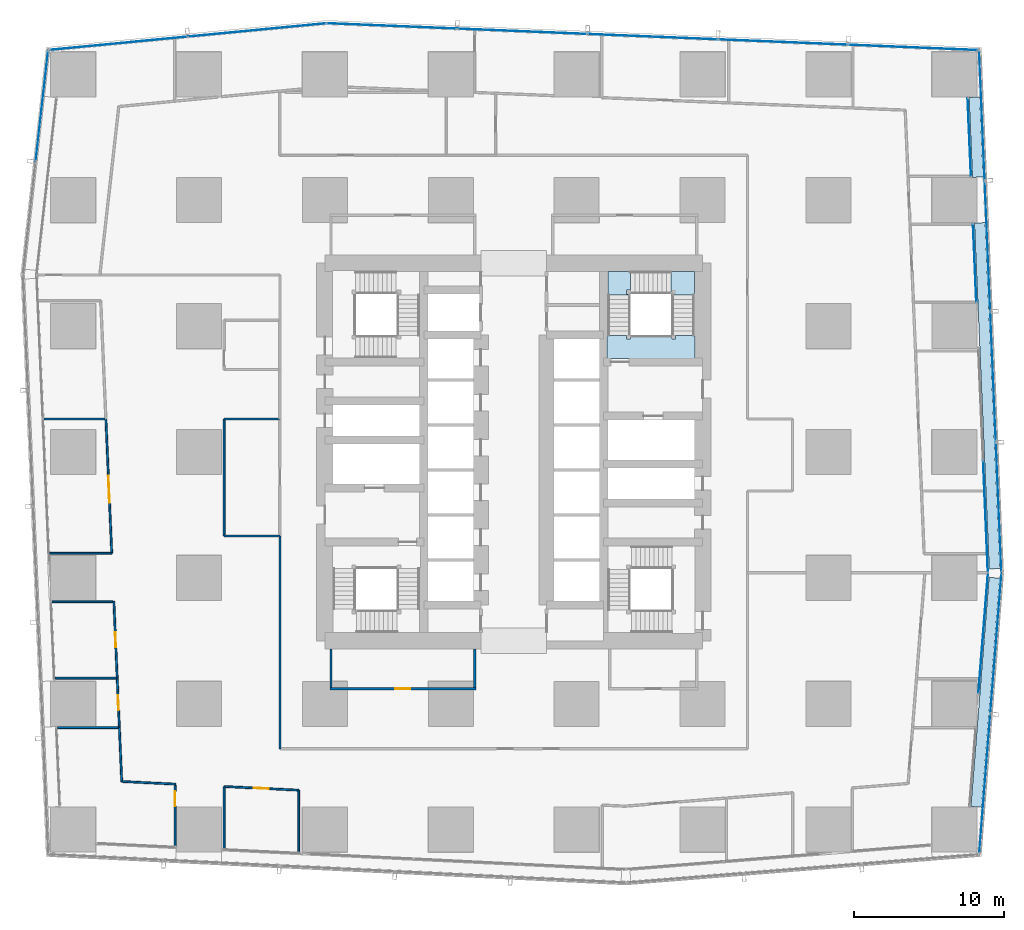
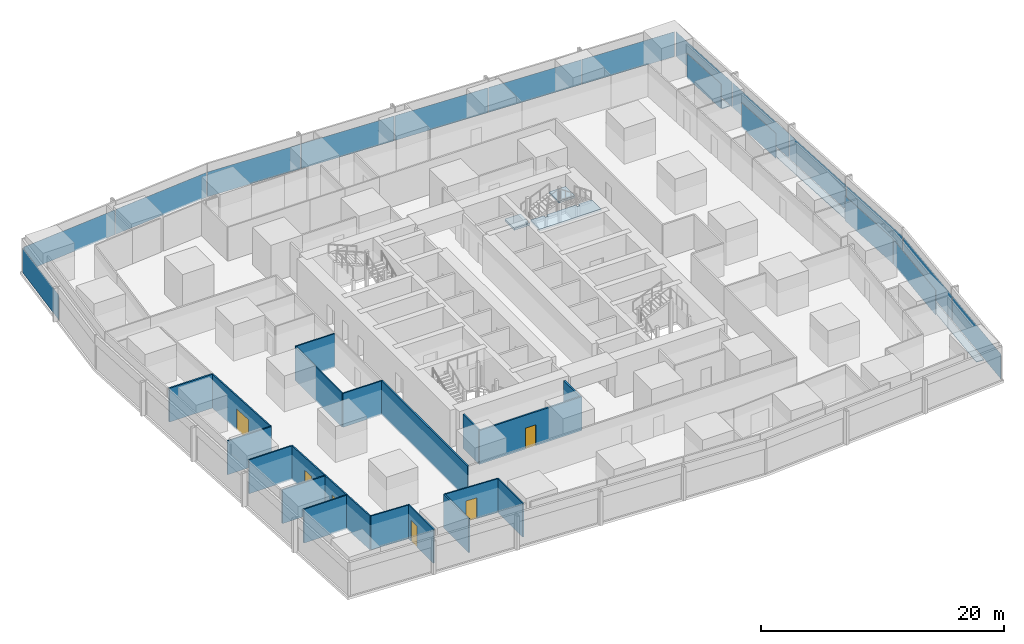
# One storey, part 31 of 44: 21 plates, 21 walls, 6 doors, 3 slabs, 6 openings, 10 elements without a shape of their own.
"""IFC4 building model written with IfcOpenShell, lengths in metres."""

from ifc_helpers import new_model, si_unit, direction, frame, frame_2d, origin, origin_2d, place, context, subcontext, project, spatial, polyline, rectangle, outline, extrude, material, layer, layer_set, type_object, element, fill, aggregate, save


model = new_model("IFC4")

# Units and contexts
model_context = context("Model", 3, precision=1e-05, world=origin(), true_north=direction((0.0, 1.0)))
body_context = subcontext(model_context, "Body", "Model", "MODEL_VIEW")
ifc_project = project(units=[si_unit("LENGTHUNIT", "METRE"), si_unit("AREAUNIT", "SQUARE_METRE"), si_unit("VOLUMEUNIT", "CUBIC_METRE"), si_unit("PLANEANGLEUNIT", "RADIAN"), si_unit("MASSUNIT", "GRAM", prefix="KILO")], contexts=[model_context])

# Site, building, storey
site_placement = place(None, origin())
site = spatial("IfcSite", under=ifc_project, at=site_placement, CompositionType="ELEMENT")
building_placement = place(site_placement, origin())
building = spatial("IfcBuilding", under=site, at=building_placement, Name="Rekha Terrace Tower", CompositionType="ELEMENT")
storey_placement = place(building_placement, frame((0.0, 0.0, 81.64990234375)))
storey = spatial("IfcBuildingStorey", under=building, at=storey_placement, Name="L20", CompositionType="ELEMENT", Elevation=81.64990234375)

# Curtain wall, plate
ifc_material_1 = material(Name="Aluminium framing", Category="aluminium")
curtain_wall_type_1 = type_object("IfcCurtainWallType", Name="CW1 double skin inner glazing", PredefinedType="USERDEFINED", material=ifc_material_1)
curtain_wall_1_placement = place(storey_placement, origin())
curtain_wall_1 = element("IfcCurtainWall", 1, at=curtain_wall_1_placement, inside=storey, type_object=curtain_wall_type_1, Name="CW1 double skin inner glazing", ObjectType="DOUBLE SKIN INNER GLAZING", PredefinedType="USERDEFINED")
ifc_material_2 = material(Name="Double-glazed low-e unit 32", Category="glass")
ifc_layer_1 = layer(ifc_material_2, 0.031982421875)
ifc_layer_set_1 = layer_set([ifc_layer_1], Name="Double-glazed low-e unit 32")
plate_type_1 = type_object("IfcPlateType", Name="CW1 jumbo vision panel, double-glazed low-e unit 32", PredefinedType="CURTAIN_PANEL", material=ifc_layer_set_1)
plate_1_placement = place(storey_placement, frame((69.119873046875, 21.507568359375, 0.0), z_axis=(0.0, 0.0, 1.0), x_axis=(0.079116301035, 0.996865392573, 0.0)))
plate_1 = element("IfcPlate", 2, at=plate_1_placement, type_object=plate_type_1, Name="CW1 panel 1.1", PredefinedType="CURTAIN_PANEL", context=body_context, shape_type="SweptSolid", body=[
    extrude(rectangle(XDim=8.048583984375, YDim=0.031982421875, at=origin_2d()), origin(), (0.0, 0.0, 1.0), 2.5),
])
aggregate(curtain_wall_1, [plate_1])

curtain_wall_2_placement = place(storey_placement, origin())
curtain_wall_2 = element("IfcCurtainWall", 3, at=curtain_wall_2_placement, inside=storey, type_object=curtain_wall_type_1, Name="CW1 double skin inner glazing", ObjectType="DOUBLE SKIN INNER GLAZING", PredefinedType="USERDEFINED")
plate_2_placement = place(storey_placement, frame((69.27685546875, 29.2939453125, 0.0), z_axis=(0.0, 0.0, 1.0), x_axis=(-0.042696072921, 0.999088106904, 0.0)))
plate_2 = element("IfcPlate", 4, at=plate_2_placement, type_object=plate_type_1, Name="CW1 panel 1.1", PredefinedType="CURTAIN_PANEL", context=body_context, shape_type="SweptSolid", body=[
    extrude(rectangle(XDim=7.42578125, YDim=0.031982421875, at=origin_2d()), origin(), (0.0, 0.0, 1.0), 2.5),
])
aggregate(curtain_wall_2, [plate_2])

curtain_wall_3_placement = place(storey_placement, origin())
curtain_wall_3 = element("IfcCurtainWall", 5, at=curtain_wall_3_placement, inside=storey, type_object=curtain_wall_type_1, Name="CW1 double skin inner glazing", ObjectType="DOUBLE SKIN INNER GLAZING", PredefinedType="USERDEFINED")
plate_3_placement = place(storey_placement, frame((68.554443359375, 46.199951171875, 0.0), z_axis=(0.0, 0.0, 1.0), x_axis=(-0.042696073061, 0.999088106898, 0.0)))
plate_3 = element("IfcPlate", 6, at=plate_3_placement, type_object=plate_type_1, Name="CW1 panel 1.1", PredefinedType="CURTAIN_PANEL", context=body_context, shape_type="SweptSolid", body=[
    extrude(rectangle(XDim=5.226806640625, YDim=0.031982421875, at=origin_2d()), origin(), (0.0, 0.0, 1.0), 2.5),
])
aggregate(curtain_wall_3, [plate_3])

curtain_wall_4_placement = place(storey_placement, origin())
curtain_wall_4 = element("IfcCurtainWall", 7, at=curtain_wall_4_placement, inside=storey, type_object=curtain_wall_type_1, Name="CW1 double skin inner glazing", ObjectType="DOUBLE SKIN INNER GLAZING", PredefinedType="USERDEFINED")
plate_4_placement = place(storey_placement, frame((68.195556640625, 54.60009765625, 0.0), z_axis=(0.0, 0.0, 1.0), x_axis=(-0.042696073061, 0.999088106898, 0.0)))
plate_4 = element("IfcPlate", 8, at=plate_4_placement, type_object=plate_type_1, Name="CW1 panel 1.1", PredefinedType="CURTAIN_PANEL", context=body_context, shape_type="SweptSolid", body=[
    extrude(rectangle(XDim=5.226806640625, YDim=0.031982421875, at=origin_2d()), origin(), (0.0, 0.0, 1.0), 2.5),
])
aggregate(curtain_wall_4, [plate_4])

# Curtain wall, plates
curtain_wall_type_2 = type_object("IfcCurtainWallType", Name="CW2 double skin outer glazing", PredefinedType="USERDEFINED", material=ifc_material_1)
curtain_wall_5_placement = place(storey_placement, origin())
curtain_wall_5 = element("IfcCurtainWall", 9, at=curtain_wall_5_placement, inside=storey, type_object=curtain_wall_type_2, Name="CW2 double skin outer glazing", ObjectType="DOUBLE SKIN OUTER GLAZING", PredefinedType="USERDEFINED")
ifc_material_3 = material(Name="Toughened single glazing 12", Category="glass")
ifc_layer_2 = layer(ifc_material_3, 0.011962890625)
ifc_layer_set_2 = layer_set([ifc_layer_2], Name="Toughened single glazing 12")
plate_type_2 = type_object("IfcPlateType", Name="CW2 jumbo vision panel, toughened single glazing 12", PredefinedType="CURTAIN_PANEL", material=ifc_layer_set_2)
plate_5_placement = place(storey_placement, frame((69.22509765625, 11.45703125, 0.0), z_axis=(0.0, 0.0, 1.0), x_axis=(0.079116301017, 0.996865392575, 0.0)))
plate_5 = element("IfcPlate", 10, at=plate_5_placement, type_object=plate_type_2, Name="CW2 panel 1.1", PredefinedType="CURTAIN_PANEL", context=body_context, shape_type="SweptSolid", body=[
    extrude(rectangle(XDim=9.28662109375, YDim=0.011962890625, at=origin_2d()), origin(), (0.0, 0.0, 1.0), 2.5),
])
plate_6_placement = place(storey_placement, frame((69.96923828125, 20.834228515625, 0.0), z_axis=(0.0, 0.0, 1.0), x_axis=(0.079116301017, 0.996865392575, 0.0)))
plate_6 = element("IfcPlate", 11, at=plate_6_placement, type_object=plate_type_2, Name="CW2 panel 2.1", PredefinedType="CURTAIN_PANEL", context=body_context, shape_type="SweptSolid", body=[
    extrude(rectangle(XDim=9.36669921875, YDim=0.011962890625, at=origin_2d()), origin(), (0.0, 0.0, 1.0), 2.5),
])
aggregate(curtain_wall_5, [plate_5, plate_6])

curtain_wall_6_placement = place(storey_placement, origin())
curtain_wall_6 = element("IfcCurtainWall", 12, at=curtain_wall_6_placement, inside=storey, type_object=curtain_wall_type_2, Name="CW2 double skin outer glazing", ObjectType="DOUBLE SKIN OUTER GLAZING", PredefinedType="USERDEFINED")
plate_7_placement = place(storey_placement, frame((70.152099609375, 29.890869140625, 0.0), z_axis=(0.0, 0.0, 1.0), x_axis=(-0.042696072956, 0.999088106903, 0.0)))
plate_7 = element("IfcPlate", 13, at=plate_7_placement, type_object=plate_type_2, Name="CW2 panel 1.1", PredefinedType="CURTAIN_PANEL", context=body_context, shape_type="SweptSolid", body=[
    extrude(rectangle(XDim=8.623779296875, YDim=0.011962890625, at=origin_2d()), origin(), (0.0, 0.0, 1.0), 2.5),
])
plate_8_placement = place(storey_placement, frame((69.77978515625, 38.606689453125, 0.0), z_axis=(0.0, 0.0, 1.0), x_axis=(-0.042696072956, 0.999088106903, 0.0)))
plate_8 = element("IfcPlate", 14, at=plate_8_placement, type_object=plate_type_2, Name="CW2 panel 2.1", PredefinedType="CURTAIN_PANEL", context=body_context, shape_type="SweptSolid", body=[
    extrude(rectangle(XDim=8.663818359375, YDim=0.011962890625, at=origin_2d()), origin(), (0.0, 0.0, 1.0), 2.5),
])
plate_9_placement = place(storey_placement, frame((69.406494140625, 47.342529296875, 0.0), z_axis=(0.0, 0.0, 1.0), x_axis=(-0.042696072956, 0.999088106903, 0.0)))
plate_9 = element("IfcPlate", 15, at=plate_9_placement, type_object=plate_type_2, Name="CW2 panel 3.1", PredefinedType="CURTAIN_PANEL", context=body_context, shape_type="SweptSolid", body=[
    extrude(rectangle(XDim=8.663818359375, YDim=0.011962890625, at=origin_2d()), origin(), (0.0, 0.0, 1.0), 2.5),
])
plate_10_placement = place(storey_placement, frame((69.033935546875, 56.058349609375, 0.0), z_axis=(0.0, 0.0, 1.0), x_axis=(-0.042696072956, 0.999088106903, 0.0)))
plate_10 = element("IfcPlate", 16, at=plate_10_placement, type_object=plate_type_2, Name="CW2 panel 4.1", PredefinedType="CURTAIN_PANEL", context=body_context, shape_type="SweptSolid", body=[
    extrude(rectangle(XDim=8.623779296875, YDim=0.011962890625, at=origin_2d()), origin(), (0.0, 0.0, 1.0), 2.5),
])
aggregate(curtain_wall_6, [plate_7, plate_8, plate_9, plate_10])

# Curtain wall, plate
curtain_wall_7_placement = place(storey_placement, origin())
curtain_wall_7 = element("IfcCurtainWall", 17, at=curtain_wall_7_placement, inside=storey, type_object=curtain_wall_type_2, Name="CW2 double skin outer glazing", ObjectType="DOUBLE SKIN OUTER GLAZING", PredefinedType="USERDEFINED")
plate_11_placement = place(storey_placement, frame((6.3212890625, 56.688720703125, 0.0), z_axis=(0.0, 0.0, 1.0), x_axis=(-0.111729870782, -0.99373861552, 0.0)))
plate_11 = element("IfcPlate", 18, at=plate_11_placement, type_object=plate_type_2, Name="CW2 panel 1.1", PredefinedType="CURTAIN_PANEL", context=body_context, shape_type="SweptSolid", body=[
    extrude(rectangle(XDim=7.41650390625, YDim=0.011962890625, at=origin_2d()), origin(), (0.0, 0.0, 1.0), 2.5),
])
aggregate(curtain_wall_7, [plate_11])

# Curtain wall, plates
curtain_wall_type_3 = type_object("IfcCurtainWallType", Name="CW3 north unitised glazing", PredefinedType="USERDEFINED", material=ifc_material_1)
curtain_wall_8_placement = place(storey_placement, origin())
curtain_wall_8 = element("IfcCurtainWall", 19, at=curtain_wall_8_placement, inside=storey, type_object=curtain_wall_type_3, Name="CW3 unitised curtain wall", ObjectType="UNITISED CURTAIN WALL", PredefinedType="USERDEFINED")
ifc_material_4 = material(Name="Double-glazed unit 28", Category="glass")
ifc_layer_3 = layer(ifc_material_4, 0.028076171875)
ifc_layer_set_3 = layer_set([ifc_layer_3], Name="Double-glazed unit 28")
plate_type_3 = type_object("IfcPlateType", Name="CW3 jumbo vision panel, double-glazed unit 28", PredefinedType="CURTAIN_PANEL", material=ifc_layer_set_3)
plate_12_placement = place(storey_placement, frame((64.4423828125, 60.587646484375, 0.0), z_axis=(0.0, 0.0, 1.0), x_axis=(-0.999151997647, 0.041173846041, 0.0)))
plate_12 = element("IfcPlate", 20, at=plate_12_placement, type_object=plate_type_3, Name="CW3 panel 1.1", PredefinedType="CURTAIN_PANEL", context=body_context, shape_type="SweptSolid", body=[
    extrude(rectangle(XDim=8.598876953125, YDim=0.028076171875, at=origin_2d()), origin(), (0.0, 0.0, 1.0), 2.5),
])
plate_13_placement = place(storey_placement, frame((55.76318359375, 60.9453125, 0.0), z_axis=(0.0, 0.0, 1.0), x_axis=(-0.999151997647, 0.041173846041, 0.0)))
plate_13 = element("IfcPlate", 21, at=plate_13_placement, type_object=plate_type_3, Name="CW3 panel 2.1", PredefinedType="CURTAIN_PANEL", context=body_context, shape_type="SweptSolid", body=[
    extrude(rectangle(XDim=8.6337890625, YDim=0.028076171875, at=origin_2d()), origin(), (0.0, 0.0, 1.0), 2.5),
])
plate_14_placement = place(storey_placement, frame((47.066650390625, 61.3037109375, 0.0), z_axis=(0.0, 0.0, 1.0), x_axis=(-0.999151997647, 0.041173846041, 0.0)))
plate_14 = element("IfcPlate", 22, at=plate_14_placement, type_object=plate_type_3, Name="CW3 panel 3.1", PredefinedType="CURTAIN_PANEL", context=body_context, shape_type="SweptSolid", body=[
    extrude(rectangle(XDim=8.6337890625, YDim=0.028076171875, at=origin_2d()), origin(), (0.0, 0.0, 1.0), 2.5),
])
plate_15_placement = place(storey_placement, frame((38.370361328125, 61.662109375, 0.0), z_axis=(0.0, 0.0, 1.0), x_axis=(-0.999151997647, 0.041173846041, 0.0)))
plate_15 = element("IfcPlate", 23, at=plate_15_placement, type_object=plate_type_3, Name="CW3 panel 4.1", PredefinedType="CURTAIN_PANEL", context=body_context, shape_type="SweptSolid", body=[
    extrude(rectangle(XDim=8.6337890625, YDim=0.028076171875, at=origin_2d()), origin(), (0.0, 0.0, 1.0), 2.5),
])
plate_16_placement = place(storey_placement, frame((29.65625, 62.021240234375, 0.0), z_axis=(0.0, 0.0, 1.0), x_axis=(-0.999151997647, 0.041173846041, 0.0)))
plate_16 = element("IfcPlate", 24, at=plate_16_placement, type_object=plate_type_3, Name="CW3 panel 5.1", PredefinedType="CURTAIN_PANEL", context=body_context, shape_type="SweptSolid", body=[
    extrude(rectangle(XDim=8.6689453125, YDim=0.028076171875, at=origin_2d()), origin(), (0.0, 0.0, 1.0), 2.5),
])
aggregate(curtain_wall_8, [plate_12, plate_13, plate_14, plate_15, plate_16])

curtain_wall_9_placement = place(storey_placement, origin())
curtain_wall_9 = element("IfcCurtainWall", 25, at=curtain_wall_9_placement, inside=storey, type_object=curtain_wall_type_3, Name="CW3 unitised curtain wall", ObjectType="UNITISED CURTAIN WALL", PredefinedType="USERDEFINED")
plate_17_placement = place(storey_placement, frame((20.671875, 61.752197265625, 0.0), z_axis=(0.0, 0.0, 1.0), x_axis=(-0.995409029102, -0.095712406625, 0.0)))
plate_17 = element("IfcPlate", 26, at=plate_17_placement, type_object=plate_type_3, Name="CW3 panel 1.1", PredefinedType="CURTAIN_PANEL", context=body_context, shape_type="SweptSolid", body=[
    extrude(rectangle(XDim=9.210205078125, YDim=0.028076171875, at=origin_2d()), origin(), (0.0, 0.0, 1.0), 2.5),
])
plate_18_placement = place(storey_placement, frame((11.434326171875, 60.864013671875, 0.0), z_axis=(0.0, 0.0, 1.0), x_axis=(-0.995409029102, -0.095712406625, 0.0)))
plate_18 = element("IfcPlate", 27, at=plate_18_placement, type_object=plate_type_3, Name="CW3 panel 2.1", PredefinedType="CURTAIN_PANEL", context=body_context, shape_type="SweptSolid", body=[
    extrude(rectangle(XDim=9.210205078125, YDim=0.028076171875, at=origin_2d()), origin(), (0.0, 0.0, 1.0), 2.5),
])
aggregate(curtain_wall_9, [plate_17, plate_18])

# Plates
ifc_material_5 = material(Name="Galvanised steel open grating", Category="steel")
ifc_layer_4 = layer(ifc_material_5, 0.050048828125)
ifc_layer_set_4 = layer_set([ifc_layer_4], Name="Galvanised steel open grating")
plate_type_4 = type_object("IfcPlateType", Name="GT1 cavity walkway grating 50", PredefinedType="USERDEFINED", material=ifc_layer_set_4)
plate_19_placement = place(storey_placement, frame((69.258544921875, 17.56787109375, 0.0), z_axis=(0.0, 0.0, 1.0), x_axis=(0.079116301, 0.996865392576, 0.0)))
element("IfcPlate", 28, at=plate_19_placement, inside=storey, type_object=plate_type_4, Name="Cavity walkway grating", ObjectType="CAVITY WALKWAY GRATING", PredefinedType="USERDEFINED", context=body_context, shape_type="SweptSolid", body=[
    extrude(rectangle(XDim=15.336181640625, YDim=0.705078125, at=origin_2d()), origin(), (0.0, 0.0, 1.0), 0.050048828125),
])
plate_20_placement = place(storey_placement, frame((69.383056640625, 37.349609375, 0.0), z_axis=(0.0, 0.0, 1.0), x_axis=(-0.042696072939, 0.999088106903, 0.0)))
element("IfcPlate", 29, at=plate_20_placement, inside=storey, type_object=plate_type_4, Name="Cavity walkway grating", ObjectType="CAVITY WALKWAY GRATING", PredefinedType="USERDEFINED", context=body_context, shape_type="SweptSolid", body=[
    extrude(rectangle(XDim=23.098388671875, YDim=0.705078125, at=origin_2d()), origin(), (0.0, 0.0, 1.0), 0.050048828125),
])
plate_21_placement = place(storey_placement, frame((68.645751953125, 54.604248046875, 0.0), z_axis=(0.0, 0.0, 1.0), x_axis=(-0.042696072939, 0.999088106903, 0.0)))
element("IfcPlate", 30, at=plate_21_placement, inside=storey, type_object=plate_type_4, Name="Cavity walkway grating", ObjectType="CAVITY WALKWAY GRATING", PredefinedType="USERDEFINED", context=body_context, shape_type="SweptSolid", body=[
    extrude(rectangle(XDim=5.341796875, YDim=0.705078125, at=origin_2d()), origin(), (0.0, 0.0, 1.0), 0.050048828125),
])

# Stair, slabs
ifc_material_6 = material(Name="Concrete M40", Category="concrete")
stair_type = type_object("IfcStairType", Name="ST30 stair, 30 risers of 125, going 300, 1500 wide flights, 3 flights", PredefinedType="HALF_TURN_STAIR", material=ifc_material_6)
stair_placement = place(storey_placement, origin())
stair = element("IfcStair", 31, at=stair_placement, inside=storey, type_object=stair_type, Name="Stair ST2 L20 to L21", PredefinedType="HALF_TURN_STAIR")
ifc_layer_5 = layer(ifc_material_6, 0.199951171875)
ifc_layer_set_5 = layer_set([ifc_layer_5], Name="Concrete M40")
slab_type = type_object("IfcSlabType", Name="LD1 200 concrete stair landing", PredefinedType="LANDING", material=ifc_layer_set_5)
slab_1_placement = place(storey_placement, frame((0.0, 0.0, 1.050048828125)))
slab_1 = element("IfcSlab", 32, at=slab_1_placement, type_object=slab_type, Name="ST2 landing 1", PredefinedType="LANDING", context=body_context, shape_type="SweptSolid", body=[
    extrude(outline(polyline([(45.574951171875, 45.64990234375), (44.074951171875, 45.64990234375), (44.074951171875, 44.074951171875), (45.574951171875, 44.074951171875), (45.574951171875, 44.14990234375), (45.324951171875, 44.14990234375), (45.324951171875, 44.39990234375), (45.574951171875, 44.39990234375), (45.574951171875, 45.64990234375)])), origin(), (0.0, 0.0, 1.0), 0.199951171875),
])
slab_2_placement = place(storey_placement, frame((0.0, 0.0, 2.300048828125)))
slab_2 = element("IfcSlab", 33, at=slab_2_placement, type_object=slab_type, Name="ST2 landing 2", PredefinedType="LANDING", context=body_context, shape_type="SweptSolid", body=[
    extrude(outline(polyline([(48.35009765625, 44.074951171875), (49.85009765625, 44.074951171875), (49.85009765625, 45.64990234375), (48.27490234375, 45.64990234375), (48.27490234375, 44.14990234375), (48.35009765625, 44.14990234375), (48.35009765625, 44.074951171875)])), origin(), (0.0, 0.0, 1.0), 0.199951171875),
])
slab_3_placement = place(storey_placement, frame((0.0, 0.0, 3.550048828125)))
slab_3 = element("IfcSlab", 34, at=slab_3_placement, type_object=slab_type, Name="ST2 landing 3", PredefinedType="LANDING", context=body_context, shape_type="SweptSolid", body=[
    extrude(outline(polyline([(45.574951171875, 41.375), (45.574951171875, 41.324951171875), (45.574951171875, 41.125), (45.324951171875, 41.125), (45.324951171875, 41.324951171875), (45.324951171875, 41.375), (44.074951171875, 41.375), (44.074951171875, 41.324951171875), (44.02490234375, 41.324951171875), (44.02490234375, 39.824951171875), (49.89990234375, 39.824951171875), (49.89990234375, 41.324951171875), (49.85009765625, 41.324951171875), (49.85009765625, 41.375), (48.60009765625, 41.375), (48.60009765625, 41.324951171875), (48.60009765625, 41.125), (48.35009765625, 41.125), (48.35009765625, 41.324951171875), (48.35009765625, 41.375), (45.574951171875, 41.375)])), origin(), (0.0, 0.0, 1.0), 0.199951171875),
])
aggregate(stair, [slab_1, slab_2, slab_3])

# Wall, opening, door
ifc_material_7 = material(Name="Concrete block masonry, 1 hour", Category="masonry")
ifc_layer_6 = layer(ifc_material_7, 0.14990234375)
ifc_layer_set_6 = layer_set([ifc_layer_6], Name="Concrete block masonry, 1 hour")
wall_type_1 = type_object("IfcWallType", Name="WP2 150 tenancy partition", PredefinedType="PARTITIONING", material=ifc_layer_set_6)
wall_1_placement = place(storey_placement, frame((25.52490234375, 17.800048828125, 0.0), z_axis=(0.0, 0.0, 1.0), x_axis=(1.0, 0.0, 0.0)))
wall_1 = element("IfcWall", 35, at=wall_1_placement, inside=storey, type_object=wall_type_1, Name="Men's WC wall L20", PredefinedType="PARTITIONING", context=body_context, shape_type="SweptSolid", body=[
    extrude(rectangle(XDim=9.75, YDim=0.14990234375, at=frame_2d((4.875, 0.0))), origin(), (0.0, 0.0, 1.0), 3.400146484375),
])
opening_1_placement = place(wall_1_placement, frame((4.375, 0.0, 0.0)))
opening_1 = element("IfcOpeningElement", 36, at=opening_1_placement, cuts=wall_1, Name="Opening D3", PredefinedType="OPENING", context=body_context, shape_type="SweptSolid", body=[
    extrude(rectangle(XDim=1.0, YDim=2.10009765625, at=frame_2d((0.5, 1.050048828125))), frame((0.0, 0.0849609375, 0.0), z_axis=(0.0, -1.0, 0.0), x_axis=(1.0, 0.0, 0.0)), (0.0, 0.0, 1.0), 0.169921875),
])
ifc_material_8 = material(Name="Laminated timber fire door", Category="wood")
door_type_1 = type_object("IfcDoorType", Name="D3 1000x2100 WC door", OperationType="SINGLE_SWING_LEFT", PredefinedType="DOOR", material=ifc_material_8)
door_1_placement = place(opening_1_placement, origin())
door_1 = element("IfcDoor", 37, at=door_1_placement, inside=storey, type_object=door_type_1, Name="Door men's wc L20", OperationType="SINGLE_SWING_LEFT", OverallHeight=2.10009765625, OverallWidth=1.0, PredefinedType="DOOR", context=body_context, shape_type="SweptSolid", body=[
    extrude(rectangle(XDim=1.0, YDim=2.10009765625, at=frame_2d((0.5, 1.050048828125))), frame((0.0, 0.02490234375, 0.0), z_axis=(0.0, -1.0, 0.0), x_axis=(1.0, 0.0, 0.0)), (0.0, 0.0, 1.0), 0.050048828125),
])
fill(opening_1, door_1)

# Walls
for number, where, z_axis, x_axis, name in (
    (38, (25.60009765625, 17.875, 0.0), (0.0, 0.0, 1.0), (0.0, 1.0, 0.0), "Men's WC wall L20"),
    (39, (35.199951171875, 17.875, 0.0), (0.0, 0.0, 1.0), (0.0, 1.0, 0.0), "Men's WC wall L20"),
):
    element("IfcWall", number, at=place(storey_placement, frame(where, z_axis=z_axis, x_axis=x_axis)), inside=storey, type_object=wall_type_1, Name=name, PredefinedType="PARTITIONING", context=body_context, shape_type="SweptSolid", body=[
        extrude(rectangle(XDim=2.574951171875, YDim=0.14990234375, at=frame_2d((1.28759765625, 0.0))), origin(), (0.0, 0.0, 1.0), 3.400146484375),
    ])
wall_2_placement = place(storey_placement, frame((10.527099609375, 35.799072265625, 0.0), z_axis=(0.0, 0.0, 1.0), x_axis=(-1.0, 0.0, 0.0)))
element("IfcWall", 40, at=wall_2_placement, inside=storey, type_object=wall_type_1, Name="Partition L20-O2", PredefinedType="PARTITIONING", context=body_context, shape_type="SweptSolid", body=[
    extrude(rectangle(XDim=4.06201171875, YDim=0.14990234375, at=frame_2d((2.031005859375, 0.0))), origin(), (0.0, 0.0, 1.0), 3.400146484375),
])
wall_3_placement = place(storey_placement, frame((22.199951171875, 28.0, 0.0), z_axis=(0.0, 0.0, 1.0), x_axis=(0.0, -1.0, 0.0)))
element("IfcWall", 41, at=wall_3_placement, inside=storey, type_object=wall_type_1, Name="Partition L20-O2", PredefinedType="PARTITIONING", context=body_context, shape_type="SweptSolid", body=[
    extrude(rectangle(XDim=14.199951171875, YDim=0.14990234375, at=frame_2d((7.10009765625, 0.0))), origin(), (0.0, 0.0, 1.0), 3.400146484375),
])

# Wall, opening, door
ifc_material_9 = material(Name="Two layers of fire-rated gypsum board each side on steel studs, acoustic quilt, 1 hour", Category="steel")
ifc_layer_7 = layer(ifc_material_9, 0.125)
ifc_layer_set_7 = layer_set([ifc_layer_7], Name="Two layers of fire-rated gypsum board each side on steel studs, acoustic quilt, 1 hour")
wall_type_2 = type_object("IfcWallType", Name="WP3 125 office partition", PredefinedType="PARTITIONING", material=ifc_layer_set_7)
wall_4_placement = place(storey_placement, frame((10.589111328125, 35.801025390625, 0.0), z_axis=(0.0, 0.0, 1.0), x_axis=(0.04362167733, -0.999048121597, 0.0)))
wall_4 = element("IfcWall", 42, at=wall_4_placement, inside=storey, type_object=wall_type_2, Name="Partition L20-15", PredefinedType="PARTITIONING", context=body_context, shape_type="SweptSolid", body=[
    extrude(rectangle(XDim=8.96044921875, YDim=0.125, at=frame_2d((4.480224609375, 0.0))), origin(), (0.0, 0.0, 1.0), 3.400146484375),
])
opening_2_placement = place(wall_4_placement, frame((3.780029296875, 0.0, 0.0)))
opening_2 = element("IfcOpeningElement", 43, at=opening_2_placement, cuts=wall_4, Name="Opening D8", PredefinedType="OPENING", context=body_context, shape_type="SweptSolid", body=[
    extrude(rectangle(XDim=1.800048828125, YDim=2.10009765625, at=frame_2d((0.89990234375, 1.050048828125))), frame((0.0, 0.072509765625, 0.0), z_axis=(0.0, -1.0, 0.0), x_axis=(1.0, 0.0, 0.0)), (0.0, 0.0, 1.0), 0.14501953125),
])
ifc_material_10 = material(Name="Timber fire door", Category="wood")
door_type_2 = type_object("IfcDoorType", Name="D8 1800x2100 double leaf door", OperationType="DOUBLE_DOOR_SINGLE_SWING", PredefinedType="DOOR", material=ifc_material_10)
door_2_placement = place(opening_2_placement, origin())
door_2 = element("IfcDoor", 44, at=door_2_placement, inside=storey, type_object=door_type_2, Name="Door breakout lounge L20", OperationType="DOUBLE_DOOR_SINGLE_SWING", OverallHeight=2.10009765625, OverallWidth=1.800048828125, PredefinedType="DOOR", context=body_context, shape_type="SweptSolid", body=[
    extrude(rectangle(XDim=1.800048828125, YDim=2.10009765625, at=frame_2d((0.89990234375, 1.050048828125))), frame((0.0, 0.02490234375, 0.0), z_axis=(0.0, -1.0, 0.0), x_axis=(1.0, 0.0, 0.0)), (0.0, 0.0, 1.0), 0.050048828125),
])
fill(opening_2, door_2)

# Wall
wall_5_placement = place(storey_placement, frame((10.97998046875, 26.84912109375, 0.0), z_axis=(0.0, 0.0, 1.0), x_axis=(-1.0, 0.0, 0.0)))
element("IfcWall", 45, at=wall_5_placement, inside=storey, type_object=wall_type_2, Name="Partition L20-15", PredefinedType="PARTITIONING", context=body_context, shape_type="SweptSolid", body=[
    extrude(rectangle(XDim=4.154052734375, YDim=0.125, at=frame_2d((2.0771484375, 0.0))), origin(), (0.0, 0.0, 1.0), 3.400146484375),
])

# Wall, opening, door
wall_6_placement = place(storey_placement, frame((11.1201171875, 23.64306640625, 0.0), z_axis=(0.0, 0.0, 1.0), x_axis=(0.043625094794, -0.999047972374, 0.0)))
wall_6 = element("IfcWall", 46, at=wall_6_placement, inside=storey, type_object=wall_type_2, Name="Partition L20-16", PredefinedType="PARTITIONING", context=body_context, shape_type="SweptSolid", body=[
    extrude(rectangle(XDim=5.1318359375, YDim=0.125, at=frame_2d((2.56591796875, 0.0))), origin(), (0.0, 0.0, 1.0), 3.400146484375),
])
opening_3_placement = place(wall_6_placement, frame((2.06591796875, 0.0, 0.0)))
opening_3 = element("IfcOpeningElement", 47, at=opening_3_placement, cuts=wall_6, Name="Opening D9", PredefinedType="OPENING", context=body_context, shape_type="SweptSolid", body=[
    extrude(rectangle(XDim=1.0, YDim=2.10009765625, at=frame_2d((0.5, 1.050048828125))), frame((0.0, 0.072509765625, 0.0), z_axis=(0.0, -1.0, 0.0), x_axis=(1.0, 0.0, 0.0)), (0.0, 0.0, 1.0), 0.14501953125),
])
door_type_3 = type_object("IfcDoorType", Name="D9 1000x2100 office door", OperationType="SINGLE_SWING_LEFT", PredefinedType="DOOR", material=ifc_material_10)
door_3_placement = place(opening_3_placement, origin())
door_3 = element("IfcDoor", 48, at=door_3_placement, inside=storey, type_object=door_type_3, Name="Door meeting room L20", OperationType="SINGLE_SWING_LEFT", OverallHeight=2.10009765625, OverallWidth=1.0, PredefinedType="DOOR", context=body_context, shape_type="SweptSolid", body=[
    extrude(rectangle(XDim=1.0, YDim=2.10009765625, at=frame_2d((0.5, 1.050048828125))), frame((0.0, 0.02490234375, 0.0), z_axis=(0.0, -1.0, 0.0), x_axis=(1.0, 0.0, 0.0)), (0.0, 0.0, 1.0), 0.050048828125),
])
fill(opening_3, door_3)

# Walls
wall_7_placement = place(storey_placement, frame((11.343994140625, 18.51611328125, 0.0), z_axis=(0.0, 0.0, 1.0), x_axis=(-1.0, 0.0, 0.0)))
element("IfcWall", 49, at=wall_7_placement, inside=storey, type_object=wall_type_2, Name="Partition L20-16", PredefinedType="PARTITIONING", context=body_context, shape_type="SweptSolid", body=[
    extrude(rectangle(XDim=4.1240234375, YDim=0.125, at=frame_2d((2.06201171875, 0.0))), origin(), (0.0, 0.0, 1.0), 3.400146484375),
])
wall_8_placement = place(storey_placement, frame((6.998046875, 23.60693359375, 0.0), z_axis=(0.0, 0.0, 1.0), x_axis=(1.0, 0.0, 0.0)))
element("IfcWall", 50, at=wall_8_placement, inside=storey, type_object=wall_type_2, Name="Partition L20-16", PredefinedType="PARTITIONING", context=body_context, shape_type="SweptSolid", body=[
    extrude(rectangle(XDim=4.06103515625, YDim=0.125, at=frame_2d((2.030517578125, 0.0))), origin(), (0.0, 0.0, 1.0), 3.400146484375),
])

# Wall, opening, door
wall_9_placement = place(storey_placement, frame((11.343994140625, 18.514892578125, 0.0), z_axis=(0.0, 0.0, 1.0), x_axis=(0.043696095948, -0.999044869462, 0.0)))
wall_9 = element("IfcWall", 51, at=wall_9_placement, inside=storey, type_object=wall_type_2, Name="Partition L20-17", PredefinedType="PARTITIONING", context=body_context, shape_type="SweptSolid", body=[
    extrude(rectangle(XDim=3.274169921875, YDim=0.125, at=frame_2d((1.63720703125, 0.0))), origin(), (0.0, 0.0, 1.0), 3.400146484375),
])
opening_4_placement = place(wall_9_placement, frame((1.136962890625, 0.0, 0.0)))
opening_4 = element("IfcOpeningElement", 52, at=opening_4_placement, cuts=wall_9, Name="Opening D9", PredefinedType="OPENING", context=body_context, shape_type="SweptSolid", body=[
    extrude(rectangle(XDim=1.0, YDim=2.10009765625, at=frame_2d((0.5, 1.050048828125))), frame((0.0, 0.072509765625, 0.0), z_axis=(0.0, -1.0, 0.0), x_axis=(1.0, 0.0, 0.0)), (0.0, 0.0, 1.0), 0.14501953125),
])
door_4_placement = place(opening_4_placement, origin())
door_4 = element("IfcDoor", 53, at=door_4_placement, inside=storey, type_object=door_type_3, Name="Door pantry L20", OperationType="SINGLE_SWING_LEFT", OverallHeight=2.10009765625, OverallWidth=1.0, PredefinedType="DOOR", context=body_context, shape_type="SweptSolid", body=[
    extrude(rectangle(XDim=1.0, YDim=2.10009765625, at=frame_2d((0.5, 1.050048828125))), frame((0.0, 0.02490234375, 0.0), z_axis=(0.0, -1.0, 0.0), x_axis=(1.0, 0.0, 0.0)), (0.0, 0.0, 1.0), 0.050048828125),
])
fill(opening_4, door_4)

# Walls
wall_10_placement = place(storey_placement, frame((11.426025390625, 15.2080078125, 0.0), z_axis=(0.0, 0.0, 1.0), x_axis=(-1.0, 0.0, 0.0)))
element("IfcWall", 54, at=wall_10_placement, inside=storey, type_object=wall_type_2, Name="Partition L20-17", PredefinedType="PARTITIONING", context=body_context, shape_type="SweptSolid", body=[
    extrude(rectangle(XDim=4.06103515625, YDim=0.125, at=frame_2d((2.030517578125, 0.0))), origin(), (0.0, 0.0, 1.0), 3.400146484375),
])
wall_11_placement = place(storey_placement, frame((11.487060546875, 15.242919921875, 0.0), z_axis=(0.0, 0.0, 1.0), x_axis=(0.04380220804, -0.999040222699, 0.0)))
element("IfcWall", 55, at=wall_11_placement, inside=storey, type_object=wall_type_2, Name="Partition L20-18", PredefinedType="PARTITIONING", context=body_context, shape_type="SweptSolid", body=[
    extrude(rectangle(XDim=3.62841796875, YDim=0.125, at=frame_2d((1.814208984375, 0.0))), origin(), (0.0, 0.0, 1.0), 3.400146484375),
])
wall_12_placement = place(storey_placement, frame((11.64599609375, 11.617919921875, 0.0), z_axis=(0.0, 0.0, 1.0), x_axis=(0.998804046287, -0.048892505762, 0.0)))
element("IfcWall", 56, at=wall_12_placement, inside=storey, type_object=wall_type_2, Name="Partition L20-18", PredefinedType="PARTITIONING", context=body_context, shape_type="SweptSolid", body=[
    extrude(rectangle(XDim=3.600341796875, YDim=0.125, at=frame_2d((1.80029296875, 0.0))), origin(), (0.0, 0.0, 1.0), 3.400146484375),
])

# Wall, opening, door
wall_13_placement = place(storey_placement, frame((15.2080078125, 11.381103515625, 0.0), z_axis=(0.0, 0.0, 1.0), x_axis=(0.0, -1.0, 0.0)))
wall_13 = element("IfcWall", 57, at=wall_13_placement, inside=storey, type_object=wall_type_2, Name="Partition L20-18", PredefinedType="PARTITIONING", context=body_context, shape_type="SweptSolid", body=[
    extrude(rectangle(XDim=4.06298828125, YDim=0.125, at=frame_2d((2.031494140625, 0.0))), origin(), (0.0, 0.0, 1.0), 3.400146484375),
])
opening_5_placement = place(wall_13_placement, frame((0.40087890625, 0.0, 0.0)))
opening_5 = element("IfcOpeningElement", 58, at=opening_5_placement, cuts=wall_13, Name="Opening D9", PredefinedType="OPENING", context=body_context, shape_type="SweptSolid", body=[
    extrude(rectangle(XDim=1.0, YDim=2.10009765625, at=frame_2d((0.5, 1.050048828125))), frame((0.0, 0.072509765625, 0.0), z_axis=(0.0, -1.0, 0.0), x_axis=(1.0, 0.0, 0.0)), (0.0, 0.0, 1.0), 0.14501953125),
])
door_5_placement = place(opening_5_placement, origin())
door_5 = element("IfcDoor", 59, at=door_5_placement, inside=storey, type_object=door_type_3, Name="Door director's office L20", OperationType="SINGLE_SWING_LEFT", OverallHeight=2.10009765625, OverallWidth=1.0, PredefinedType="DOOR", context=body_context, shape_type="SweptSolid", body=[
    extrude(rectangle(XDim=1.0, YDim=2.10009765625, at=frame_2d((0.5, 1.050048828125))), frame((0.0, 0.02490234375, 0.0), z_axis=(0.0, -1.0, 0.0), x_axis=(1.0, 0.0, 0.0)), (0.0, 0.0, 1.0), 0.050048828125),
])
fill(opening_5, door_5)

wall_14_placement = place(storey_placement, frame((18.47509765625, 11.282958984375, 0.0), z_axis=(0.0, 0.0, 1.0), x_axis=(0.998791733406, -0.049143395075, 0.0)))
wall_14 = element("IfcWall", 60, at=wall_14_placement, inside=storey, type_object=wall_type_2, Name="Partition L20-19", PredefinedType="PARTITIONING", context=body_context, shape_type="SweptSolid", body=[
    extrude(rectangle(XDim=4.98291015625, YDim=0.125, at=frame_2d((2.491455078125, 0.0))), origin(), (0.0, 0.0, 1.0), 3.400146484375),
])
opening_6_placement = place(wall_14_placement, frame((1.991943359375, 0.0, 0.0)))
opening_6 = element("IfcOpeningElement", 61, at=opening_6_placement, cuts=wall_14, Name="Opening D9", PredefinedType="OPENING", context=body_context, shape_type="SweptSolid", body=[
    extrude(rectangle(XDim=1.0, YDim=2.10009765625, at=frame_2d((0.5, 1.050048828125))), frame((0.0, 0.072509765625, 0.0), z_axis=(0.0, -1.0, 0.0), x_axis=(1.0, 0.0, 0.0)), (0.0, 0.0, 1.0), 0.14501953125),
])
door_6_placement = place(opening_6_placement, origin())
door_6 = element("IfcDoor", 62, at=door_6_placement, inside=storey, type_object=door_type_3, Name="Door meeting room L20", OperationType="SINGLE_SWING_LEFT", OverallHeight=2.10009765625, OverallWidth=1.0, PredefinedType="DOOR", context=body_context, shape_type="SweptSolid", body=[
    extrude(rectangle(XDim=1.0, YDim=2.10009765625, at=frame_2d((0.5, 1.050048828125))), frame((0.0, 0.02490234375, 0.0), z_axis=(0.0, -1.0, 0.0), x_axis=(1.0, 0.0, 0.0)), (0.0, 0.0, 1.0), 0.050048828125),
])
fill(opening_6, door_6)

# Walls
wall_15_placement = place(storey_placement, frame((23.451904296875, 11.0380859375, 0.0), z_axis=(0.0, 0.0, 1.0), x_axis=(0.0, -1.0, 0.0)))
element("IfcWall", 63, at=wall_15_placement, inside=storey, type_object=wall_type_2, Name="Partition L20-19", PredefinedType="PARTITIONING", context=body_context, shape_type="SweptSolid", body=[
    extrude(rectangle(XDim=4.154052734375, YDim=0.125, at=frame_2d((2.0771484375, 0.0))), origin(), (0.0, 0.0, 1.0), 3.400146484375),
])
wall_16_placement = place(storey_placement, frame((18.47509765625, 7.157958984375, 0.0), z_axis=(0.0, 0.0, 1.0), x_axis=(0.0, 1.0, 0.0)))
element("IfcWall", 64, at=wall_16_placement, inside=storey, type_object=wall_type_2, Name="Partition L20-19", PredefinedType="PARTITIONING", context=body_context, shape_type="SweptSolid", body=[
    extrude(rectangle(XDim=4.125, YDim=0.125, at=frame_2d((2.0625, 0.0))), origin(), (0.0, 0.0, 1.0), 3.400146484375),
])
wall_17_placement = place(storey_placement, frame((18.47509765625, 28.0, 0.0), z_axis=(0.0, 0.0, 1.0), x_axis=(0.0, 1.0, 0.0)))
element("IfcWall", 65, at=wall_17_placement, inside=storey, type_object=wall_type_2, Name="Partition L20-20", PredefinedType="PARTITIONING", context=body_context, shape_type="SweptSolid", body=[
    extrude(rectangle(XDim=7.800048828125, YDim=0.125, at=frame_2d((3.89990234375, 0.0))), origin(), (0.0, 0.0, 1.0), 3.400146484375),
])
for number, where, z_axis, x_axis, name in (
    (66, (18.47509765625, 35.800048828125, 0.0), (0.0, 0.0, 1.0), (1.0, 0.0, 0.0), "Partition L20-20"),
    (67, (22.199951171875, 28.0, 0.0), (0.0, 0.0, 1.0), (-1.0, 0.0, 0.0), "Partition L20-20"),
):
    element("IfcWall", number, at=place(storey_placement, frame(where, z_axis=z_axis, x_axis=x_axis)), inside=storey, type_object=wall_type_2, Name=name, PredefinedType="PARTITIONING", context=body_context, shape_type="SweptSolid", body=[
        extrude(rectangle(XDim=3.724853515625, YDim=0.125, at=frame_2d((1.8623046875, 0.0))), origin(), (0.0, 0.0, 1.0), 3.400146484375),
    ])

save(model, "model.ifc")
